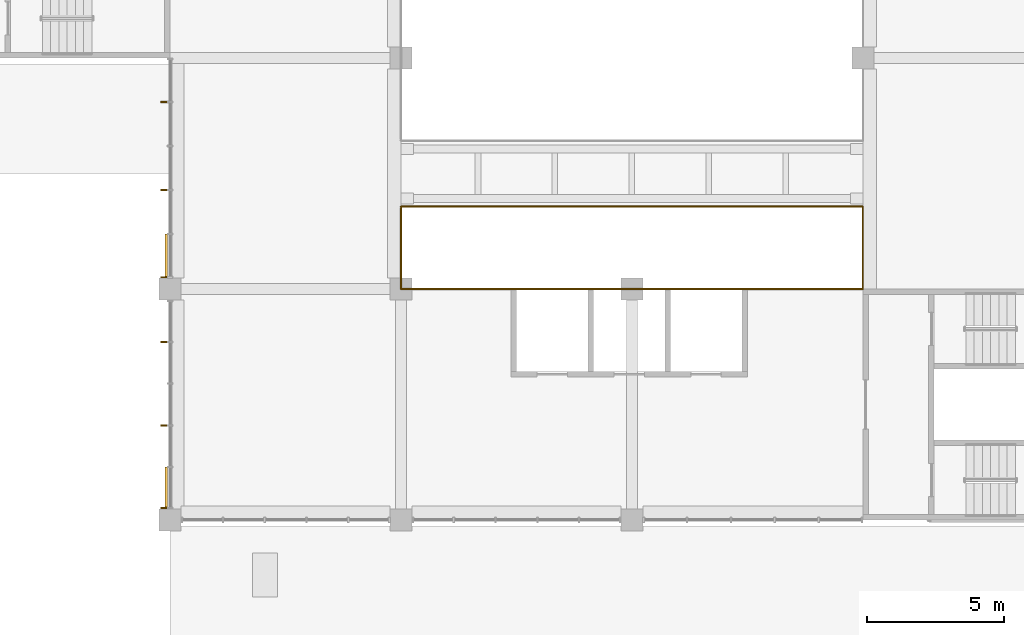
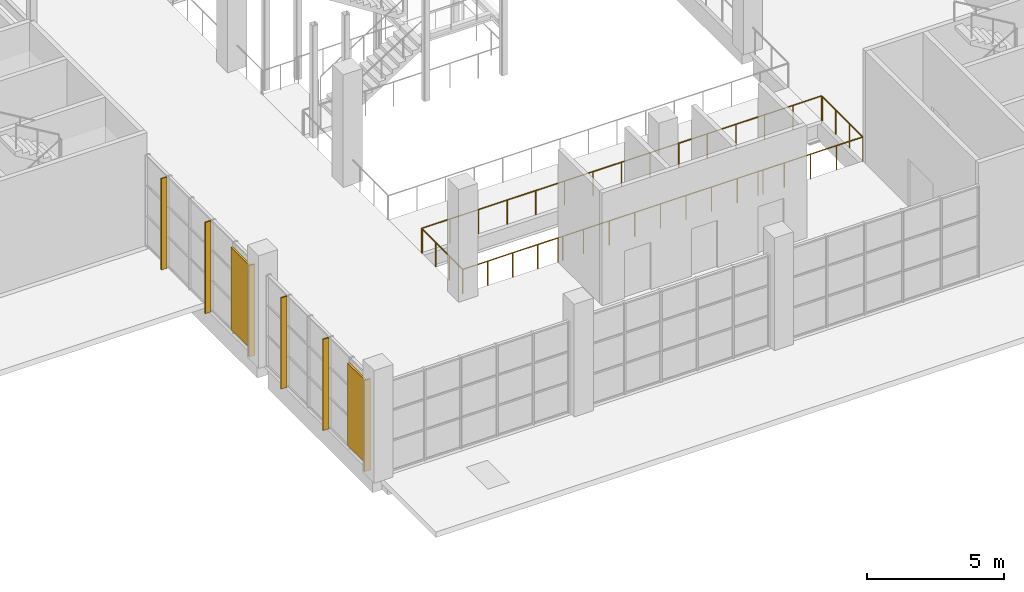
# One storey, part 84 of 101: 8 shading devices, 6 railings.
"""IFC4 building model written with IfcOpenShell, lengths in metres."""

import ifcopenshell
import ifcopenshell.guid

model = None  # the IFC model being written
_history = None  # IfcOwnerHistory: only IFC2X3 demands one
_inside = {}  # id of a spatial element -> (the spatial element, [elements in it])
_under = {}  # id of a project, library or spatial element -> (it, [spatial elements below it])
_declared = {}  # id of a project -> (the project, [libraries it declares])
_typed = {}  # id of a type object -> (the type object, [elements of that type])
_made_of = {}  # id of a material, layer set ... -> (it, [elements and type objects made of it])


def new_model(schema):
    """Start an empty IFC model of exactly this schema.

    Asked for "IFC4X3", IfcOpenShell would pick the latest addendum, in which some entities
    have other attributes; the version numbers below select the first issue.
    IFC2X3 requires an IfcOwnerHistory on every rooted entity: one is made here for all.
    """
    global model, _history
    if schema == "IFC4X3":
        model = ifcopenshell.file(schema_version=(4, 3, 0, 0))
    else:
        model = ifcopenshell.file(schema=schema)
    _inside.clear()
    _under.clear()
    _declared.clear()
    _typed.clear()
    _made_of.clear()
    _history = None
    if model.schema == "IFC2X3":
        org = make("IfcOrganization", Name="unknown")
        user = make(
            "IfcPersonAndOrganization",
            ThePerson=make("IfcPerson", FamilyName="unknown"),
            TheOrganization=org,
        )
        app = make(
            "IfcApplication",
            ApplicationDeveloper=org,
            Version="unknown",
            ApplicationFullName="unknown",
            ApplicationIdentifier="unknown",
        )
        _history = make(
            "IfcOwnerHistory",
            OwningUser=user,
            OwningApplication=app,
            ChangeAction="ADDED",
            CreationDate=0,
        )
    return model


def make(cls, **values):
    """One entity of the class cls with the attributes given. An attribute that is None is left unset."""
    return model.create_entity(
        cls, **{name: value for name, value in values.items() if value is not None}
    )


def rooted(cls, **values):
    """An entity with a GlobalId (a new one), such as an element, a storey or a relation."""
    return make(cls, GlobalId=ifcopenshell.guid.new(), OwnerHistory=_history, **values)


def si_unit(unit_type, name, prefix=None):
    """IfcSIUnit, for example si_unit("LENGTHUNIT", "METRE", prefix="MILLI")."""
    return make("IfcSIUnit", UnitType=unit_type, Prefix=prefix, Name=name)


def assignment(units):
    """IfcUnitAssignment: the units of a project."""
    return None if units is None else make("IfcUnitAssignment", Units=units)


def point(xyz):
    """IfcCartesianPoint."""
    return None if xyz is None else make("IfcCartesianPoint", Coordinates=xyz)


def direction(xyz):
    """IfcDirection."""
    return None if xyz is None else make("IfcDirection", DirectionRatios=xyz)


def frame(location, z_axis=None, x_axis=None):
    """IfcAxis2Placement3D, a coordinate frame: its origin and axes. An axis left out is left unset."""
    return make(
        "IfcAxis2Placement3D",
        Location=point(location),
        Axis=direction(z_axis),
        RefDirection=direction(x_axis),
    )


def frame_2d(location, x_axis=None):
    """IfcAxis2Placement2D, a coordinate frame in the plane: its origin and x axis."""
    return make(
        "IfcAxis2Placement2D", Location=point(location), RefDirection=direction(x_axis)
    )


def origin():
    """The frame at (0, 0, 0) with its axes left unset."""
    return frame((0.0, 0.0, 0.0))


def origin_2d():
    """The frame at (0, 0) in the plane with its x axis left unset."""
    return frame_2d((0.0, 0.0))


def place(relative_to, where):
    """IfcLocalPlacement: puts the frame where relative to a parent placement (None: the world)."""
    return make(
        "IfcLocalPlacement", PlacementRelTo=relative_to, RelativePlacement=where
    )


def context(
    kind, dimensions, precision=None, world=None, true_north=None, identifier=None
):
    """IfcGeometricRepresentationContext, for example the 3D "Model" context."""
    return make(
        "IfcGeometricRepresentationContext",
        ContextIdentifier=identifier,
        ContextType=kind,
        CoordinateSpaceDimension=dimensions,
        Precision=precision,
        WorldCoordinateSystem=world,
        TrueNorth=true_north,
    )


def subcontext(parent, identifier, kind, view, scale=None):
    """IfcGeometricRepresentationSubContext, for example "Body" below "Model"."""
    return make(
        "IfcGeometricRepresentationSubContext",
        ContextIdentifier=identifier,
        ContextType=kind,
        ParentContext=parent,
        TargetScale=scale,
        TargetView=view,
    )


def project(units=None, contexts=None):
    """IfcProject with its units and contexts."""
    return rooted(
        "IfcProject",
        Name="project",
        RepresentationContexts=contexts,
        UnitsInContext=assignment(units),
    )


def spatial(cls, under=None, at=None, **own):
    """A site, building, storey or space (cls), placed at a placement, below another one or the project."""
    s = rooted(cls, ObjectPlacement=at, **own)
    if under is not None:
        _under.setdefault(under.id(), (under, []))[1].append(s)
    return s


def profile(cls, at=None, kind="AREA", **sizes):
    """A parametric profile (cls). Its sizes go by their IFC names, for example OverallWidth=200.0."""
    return make(cls, ProfileType=kind, Position=at, **sizes)


def rectangle(**sizes):
    """IfcRectangleProfileDef."""
    return profile("IfcRectangleProfileDef", **sizes)


def circle(**sizes):
    """IfcCircleProfileDef."""
    return profile("IfcCircleProfileDef", **sizes)


def extrude(swept, where, along, depth):
    """IfcExtrudedAreaSolid: the profile swept, set in the frame where, extruded along a direction by depth."""
    return make(
        "IfcExtrudedAreaSolid",
        SweptArea=swept,
        Position=where,
        ExtrudedDirection=direction(along),
        Depth=depth,
    )


def shape(context_of_items, identifier, shape_type, items):
    """IfcShapeRepresentation: the items that make up one representation, for example the "Body"."""
    return make(
        "IfcShapeRepresentation",
        ContextOfItems=context_of_items,
        RepresentationIdentifier=identifier,
        RepresentationType=shape_type,
        Items=items,
    )


def material(Name=None, Category=None):
    """IfcMaterial."""
    return make("IfcMaterial", Name=Name, Category=Category)


def material_profile(
    of_material, cross_section, Name=None, Category=None, Priority=None
):
    """IfcMaterialProfile: a cross section and its material."""
    return make(
        "IfcMaterialProfile",
        Name=Name,
        Material=of_material,
        Profile=cross_section,
        Priority=Priority,
        Category=Category,
    )


def profile_set(profiles, Name=None, composite=None):
    """IfcMaterialProfileSet."""
    return make(
        "IfcMaterialProfileSet",
        Name=Name,
        MaterialProfiles=profiles,
        CompositeProfile=composite,
    )


def made_of(thing, what):
    """Note that an element or type object is made of a material, layer set ...; save() writes the relation."""
    if what is not None:
        _made_of.setdefault(what.id(), (what, []))[1].append(thing)
    return thing


def type_object(cls, material=None, **own):
    """A type object (cls), such as IfcWallType, which elements share."""
    return made_of(rooted(cls, **own), material)


def element(
    cls,
    number,
    at=None,
    inside=None,
    cuts=None,
    type_object=None,
    material=None,
    context=None,
    identifier="Body",
    shape_type=None,
    held_by="IfcProductDefinitionShape",
    body=None,
    shapes=None,
    **own,
):
    """One element of the class cls, such as IfcWall. Its Tag is "e" and its number.

    at: its placement. inside: the storey or other place that contains it. cuts: it is an
    opening in that element (IfcRelVoidsElement). A single representation is given by context,
    identifier, shape_type and body (its items); several are given by shapes. held_by: the class
    of the entity that holds the representations. save() writes the other relations.
    """
    e = rooted(cls, Tag="e%d" % number, ObjectPlacement=at, **own)
    if body is not None:
        shapes = [shape(context, identifier, shape_type, body)]
    if shapes is not None:
        e.Representation = make(held_by, Representations=shapes)
    if inside is not None:
        _inside.setdefault(inside.id(), (inside, []))[1].append(e)
    if cuts is not None:
        rooted(
            "IfcRelVoidsElement", RelatingBuildingElement=cuts, RelatedOpeningElement=e
        )
    if type_object is not None:
        _typed.setdefault(type_object.id(), (type_object, []))[1].append(e)
    return made_of(e, material)


def aggregate(whole, parts):
    """IfcRelAggregates: a whole, such as a stair, and the parts it consists of."""
    return rooted("IfcRelAggregates", RelatingObject=whole, RelatedObjects=parts)


def save(model, path):
    """Write the relations noted so far, then the file.

    IfcRelAggregates (storeys below a building ...), IfcRelContainedInSpatialStructure (elements
    in a storey), IfcRelDefinesByType, IfcRelAssociatesMaterial and IfcRelDeclares: one each for
    every whole, place, type object, material and project.
    """
    for whole, parts in _under.values():
        aggregate(whole, parts)
    for where, things in _inside.values():
        rooted(
            "IfcRelContainedInSpatialStructure",
            RelatedElements=things,
            RelatingStructure=where,
        )
    for kind, things in _typed.values():
        rooted("IfcRelDefinesByType", RelatedObjects=things, RelatingType=kind)
    for what, things in _made_of.values():
        rooted("IfcRelAssociatesMaterial", RelatedObjects=things, RelatingMaterial=what)
    for by, libraries in _declared.values():
        rooted("IfcRelDeclares", RelatingContext=by, RelatedDefinitions=libraries)
    model.write(path)


model = new_model("IFC4")

# Units and contexts
model_context = context("Model", 3, precision=1e-05, world=origin(), true_north=direction((0.0, 1.0)))
body_context = subcontext(model_context, "Body", "Model", "MODEL_VIEW")
ifc_project = project(units=[si_unit("LENGTHUNIT", "METRE"), si_unit("AREAUNIT", "SQUARE_METRE"), si_unit("VOLUMEUNIT", "CUBIC_METRE"), si_unit("PLANEANGLEUNIT", "RADIAN"), si_unit("MASSUNIT", "GRAM", prefix="KILO")], contexts=[model_context])

# Site, building, storey
site_placement = place(None, origin())
site = spatial("IfcSite", under=ifc_project, at=site_placement, CompositionType="ELEMENT")
building_placement = place(site_placement, origin())
building = spatial("IfcBuilding", under=site, at=building_placement, Name="Almond Square Museum", CompositionType="ELEMENT")
storey_placement = place(building_placement, frame((0.0, 0.0, 5.5)))
storey = spatial("IfcBuildingStorey", under=building, at=storey_placement, Name="L01", CompositionType="ELEMENT", Elevation=5.5)

# Railings
ifc_material_1 = material(Name="Laminated glass and stainless steel", Category="steel")
railing_type_1 = type_object("IfcRailingType", Name="Atrium bridge guard 1100", PredefinedType="GUARDRAIL", material=ifc_material_1)
railing_1_placement = place(storey_placement, frame((81.60009765625, 78.60009765625, 0.0)))
element("IfcRailing", 1, at=railing_1_placement, inside=storey, type_object=railing_type_1, Name="BR-L01-1 bridge guard south", PredefinedType="GUARDRAIL", context=body_context, shape_type="SweptSolid", body=[
    extrude(circle(Radius=0.02392578125, at=origin_2d()), frame((0.0, 0.0, 1.076171875), z_axis=(1.0, 0.0, 0.0), x_axis=(0.0, 1.0, 0.0)), (0.0, 0.0, 1.0), 16.7998046875),
    extrude(circle(Radius=0.02099609375, at=origin_2d()), origin(), (0.0, 0.0, 1.0), 1.052001953125),
    extrude(circle(Radius=0.02099609375, at=origin_2d()), frame((1.199951171875, 0.0, 0.0)), (0.0, 0.0, 1.0), 1.052001953125),
    extrude(circle(Radius=0.02099609375, at=origin_2d()), frame((2.39990234375, 0.0, 0.0)), (0.0, 0.0, 1.0), 1.052001953125),
    extrude(circle(Radius=0.02099609375, at=origin_2d()), frame((3.599853515625, 0.0, 0.0)), (0.0, 0.0, 1.0), 1.052001953125),
    extrude(circle(Radius=0.02099609375, at=origin_2d()), frame((4.800048828125, 0.0, 0.0)), (0.0, 0.0, 1.0), 1.052001953125),
    extrude(circle(Radius=0.02099609375, at=origin_2d()), frame((6.0, 0.0, 0.0)), (0.0, 0.0, 1.0), 1.052001953125),
    extrude(circle(Radius=0.02099609375, at=origin_2d()), frame((7.199951171875, 0.0, 0.0)), (0.0, 0.0, 1.0), 1.052001953125),
    extrude(circle(Radius=0.02099609375, at=origin_2d()), frame((8.39990234375, 0.0, 0.0)), (0.0, 0.0, 1.0), 1.052001953125),
    extrude(circle(Radius=0.02099609375, at=origin_2d()), frame((9.599853515625, 0.0, 0.0)), (0.0, 0.0, 1.0), 1.052001953125),
    extrude(circle(Radius=0.02099609375, at=origin_2d()), frame((10.7998046875, 0.0, 0.0)), (0.0, 0.0, 1.0), 1.052001953125),
    extrude(circle(Radius=0.02099609375, at=origin_2d()), frame((11.999755859375, 0.0, 0.0)), (0.0, 0.0, 1.0), 1.052001953125),
    extrude(circle(Radius=0.02099609375, at=origin_2d()), frame((13.199951171875, 0.0, 0.0)), (0.0, 0.0, 1.0), 1.052001953125),
    extrude(circle(Radius=0.02099609375, at=origin_2d()), frame((14.39990234375, 0.0, 0.0)), (0.0, 0.0, 1.0), 1.052001953125),
    extrude(circle(Radius=0.02099609375, at=origin_2d()), frame((15.599853515625, 0.0, 0.0)), (0.0, 0.0, 1.0), 1.052001953125),
    extrude(circle(Radius=0.02099609375, at=origin_2d()), frame((16.7998046875, 0.0, 0.0)), (0.0, 0.0, 1.0), 1.052001953125),
])
ifc_material_2 = material(Name="Laminated glass and stainless steel", Category="steel")
railing_type_2 = type_object("IfcRailingType", Name="Atrium guard 1100 glass balustrade", PredefinedType="GUARDRAIL", material=ifc_material_2)
for number, where, name in (
    (2, (81.60009765625, 75.60009765625, 0.0), "L01 atrium guard 1"),
    (3, (98.39990234375, 75.60009765625, 0.0), "L01 atrium guard 5"),
):
    element("IfcRailing", number, at=place(storey_placement, frame(where)), inside=storey, type_object=railing_type_2, Name=name, PredefinedType="GUARDRAIL", context=body_context, shape_type="SweptSolid", body=[
        extrude(circle(Radius=0.02392578125, at=origin_2d()), frame((0.0, 0.0, 1.076171875), z_axis=(0.0, 1.0, 0.0), x_axis=(-1.0, 0.0, 0.0)), (0.0, 0.0, 1.0), 2.949951171875),
        extrude(circle(Radius=0.02099609375, at=origin_2d()), origin(), (0.0, 0.0, 1.0), 1.052001953125),
        extrude(circle(Radius=0.02099609375, at=origin_2d()), frame((0.0, 0.9833984375, 0.0)), (0.0, 0.0, 1.0), 1.052001953125),
        extrude(circle(Radius=0.02099609375, at=origin_2d()), frame((0.0, 1.966552734375, 0.0)), (0.0, 0.0, 1.0), 1.052001953125),
        extrude(circle(Radius=0.02099609375, at=origin_2d()), frame((0.0, 2.949951171875, 0.0)), (0.0, 0.0, 1.0), 1.052001953125),
    ])
railing_2_placement = place(storey_placement, frame((81.60009765625, 75.60009765625, 0.0)))
element("IfcRailing", 4, at=railing_2_placement, inside=storey, type_object=railing_type_2, Name="L01 atrium guard 8", PredefinedType="GUARDRAIL", context=body_context, shape_type="SweptSolid", body=[
    extrude(circle(Radius=0.02392578125, at=origin_2d()), frame((0.0, 0.0, 1.076171875), z_axis=(1.0, 0.0, 0.0), x_axis=(0.0, 1.0, 0.0)), (0.0, 0.0, 1.0), 4.199951171875),
    extrude(circle(Radius=0.02099609375, at=origin_2d()), origin(), (0.0, 0.0, 1.0), 1.052001953125),
    extrude(circle(Radius=0.02099609375, at=origin_2d()), frame((1.050048828125, 0.0, 0.0)), (0.0, 0.0, 1.0), 1.052001953125),
    extrude(circle(Radius=0.02099609375, at=origin_2d()), frame((2.10009765625, 0.0, 0.0)), (0.0, 0.0, 1.0), 1.052001953125),
    extrude(circle(Radius=0.02099609375, at=origin_2d()), frame((3.14990234375, 0.0, 0.0)), (0.0, 0.0, 1.0), 1.052001953125),
    extrude(circle(Radius=0.02099609375, at=origin_2d()), frame((4.199951171875, 0.0, 0.0)), (0.0, 0.0, 1.0), 1.052001953125),
])
railing_3_placement = place(storey_placement, frame((94.0, 75.60009765625, 0.0)))
element("IfcRailing", 5, at=railing_3_placement, inside=storey, type_object=railing_type_2, Name="L01 atrium guard 9", PredefinedType="GUARDRAIL", context=body_context, shape_type="SweptSolid", body=[
    extrude(circle(Radius=0.02392578125, at=origin_2d()), frame((0.0, 0.0, 1.076171875), z_axis=(1.0, 0.0, 0.0), x_axis=(0.0, 1.0, 0.0)), (0.0, 0.0, 1.0), 4.39990234375),
    extrude(circle(Radius=0.02099609375, at=origin_2d()), origin(), (0.0, 0.0, 1.0), 1.052001953125),
    extrude(circle(Radius=0.02099609375, at=origin_2d()), frame((1.10009765625, 0.0, 0.0)), (0.0, 0.0, 1.0), 1.052001953125),
    extrude(circle(Radius=0.02099609375, at=origin_2d()), frame((2.199951171875, 0.0, 0.0)), (0.0, 0.0, 1.0), 1.052001953125),
    extrude(circle(Radius=0.02099609375, at=origin_2d()), frame((3.2998046875, 0.0, 0.0)), (0.0, 0.0, 1.0), 1.052001953125),
    extrude(circle(Radius=0.02099609375, at=origin_2d()), frame((4.39990234375, 0.0, 0.0)), (0.0, 0.0, 1.0), 1.052001953125),
])
railing_4_placement = place(storey_placement, frame((85.60009765625, 75.60009765625, 0.0)))
element("IfcRailing", 6, at=railing_4_placement, inside=storey, type_object=railing_type_2, Name="L01 atrium lift bank guard", PredefinedType="GUARDRAIL", context=body_context, shape_type="SweptSolid", body=[
    extrude(circle(Radius=0.02392578125, at=origin_2d()), frame((0.0, 0.0, 1.076171875), z_axis=(1.0, 0.0, 0.0), x_axis=(0.0, 1.0, 0.0)), (0.0, 0.0, 1.0), 8.599853515625),
    extrude(circle(Radius=0.02099609375, at=origin_2d()), origin(), (0.0, 0.0, 1.0), 1.052001953125),
    extrude(circle(Radius=0.02099609375, at=origin_2d()), frame((1.074951171875, 0.0, 0.0)), (0.0, 0.0, 1.0), 1.052001953125),
    extrude(circle(Radius=0.02099609375, at=origin_2d()), frame((2.14990234375, 0.0, 0.0)), (0.0, 0.0, 1.0), 1.052001953125),
    extrude(circle(Radius=0.02099609375, at=origin_2d()), frame((3.224853515625, 0.0, 0.0)), (0.0, 0.0, 1.0), 1.052001953125),
    extrude(circle(Radius=0.02099609375, at=origin_2d()), frame((4.2998046875, 0.0, 0.0)), (0.0, 0.0, 1.0), 1.052001953125),
    extrude(circle(Radius=0.02099609375, at=origin_2d()), frame((5.375, 0.0, 0.0)), (0.0, 0.0, 1.0), 1.052001953125),
    extrude(circle(Radius=0.02099609375, at=origin_2d()), frame((6.449951171875, 0.0, 0.0)), (0.0, 0.0, 1.0), 1.052001953125),
    extrude(circle(Radius=0.02099609375, at=origin_2d()), frame((7.52490234375, 0.0, 0.0)), (0.0, 0.0, 1.0), 1.052001953125),
    extrude(circle(Radius=0.02099609375, at=origin_2d()), frame((8.599853515625, 0.0, 0.0)), (0.0, 0.0, 1.0), 1.052001953125),
])

# Shading devices
ifc_material_3 = material(Name="Anodised aluminium louvre", Category="aluminium")
shading_device_type_1 = type_object("IfcShadingDeviceType", Name="Storm louvre shutter", PredefinedType="SHUTTER", material=ifc_material_3)
shading_device_1_placement = place(storey_placement, frame((73.06201171875, 76.81494140625, 0.199951171875), z_axis=(0.0, 0.0, 1.0), x_axis=(1.0, 0.0, 0.0)))
element("IfcShadingDevice", 7, at=shading_device_1_placement, inside=storey, type_object=shading_device_type_1, Name="Storm louvre shutter", PredefinedType="SHUTTER", context=body_context, shape_type="SweptSolid", body=[
    extrude(rectangle(XDim=0.080078125, YDim=1.570068359375, at=origin_2d()), origin(), (0.0, 0.0, 1.0), 3.64990234375),
])
shading_device_2_placement = place(storey_placement, frame((73.06201171875, 68.375, 0.199951171875), z_axis=(0.0, 0.0, 1.0), x_axis=(1.0, 0.0, 0.0)))
element("IfcShadingDevice", 8, at=shading_device_2_placement, inside=storey, type_object=shading_device_type_1, Name="Storm louvre shutter", PredefinedType="SHUTTER", context=body_context, shape_type="SweptSolid", body=[
    extrude(rectangle(XDim=0.080078125, YDim=1.489990234375, at=origin_2d()), origin(), (0.0, 0.0, 1.0), 3.64990234375),
])
ifc_material_4 = material(Name="Cedar timber fin", Category="wood")
ifc_material_profile = material_profile(ifc_material_4, rectangle(XDim=0.25, YDim=0.050048828125, at=origin_2d()))
ifc_profile_set = profile_set([ifc_material_profile], Name="Cedar timber fin")
shading_device_type_2 = type_object("IfcShadingDeviceType", Name="Timber fin 250 x 50", PredefinedType="USERDEFINED", material=ifc_profile_set)
for number, where, z_axis, x_axis, name in (
    (9, (72.97705078125, 76.030029296875, 0.0), (0.0, 0.0, 1.0), (-1.0, 0.0, 0.0), "Timber fin"),
    (10, (72.97705078125, 79.199951171875, 0.0), (0.0, 0.0, 1.0), (-1.0, 0.0, 0.0), "Timber fin"),
    (11, (72.97705078125, 82.39990234375, 0.0), (0.0, 0.0, 1.0), (-1.0, 0.0, 0.0), "Timber fin"),
    (12, (72.97705078125, 67.6298828125, 0.0), (0.0, 0.0, 1.0), (-1.0, 0.0, 0.0), "Timber fin"),
    (13, (72.97705078125, 70.639892578125, 0.0), (0.0, 0.0, 1.0), (-1.0, 0.0, 0.0), "Timber fin"),
    (14, (72.97705078125, 73.679931640625, 0.0), (0.0, 0.0, 1.0), (-1.0, 0.0, 0.0), "Timber fin"),
):
    element("IfcShadingDevice", number, at=place(storey_placement, frame(where, z_axis=z_axis, x_axis=x_axis)), inside=storey, type_object=shading_device_type_2, Name=name, ObjectType="FIN", PredefinedType="USERDEFINED", context=body_context, shape_type="SweptSolid", body=[
        extrude(rectangle(XDim=0.25, YDim=0.050048828125, at=origin_2d()), origin(), (0.0, 0.0, 1.0), 4.050048828125),
    ])

save(model, "model.ifc")
